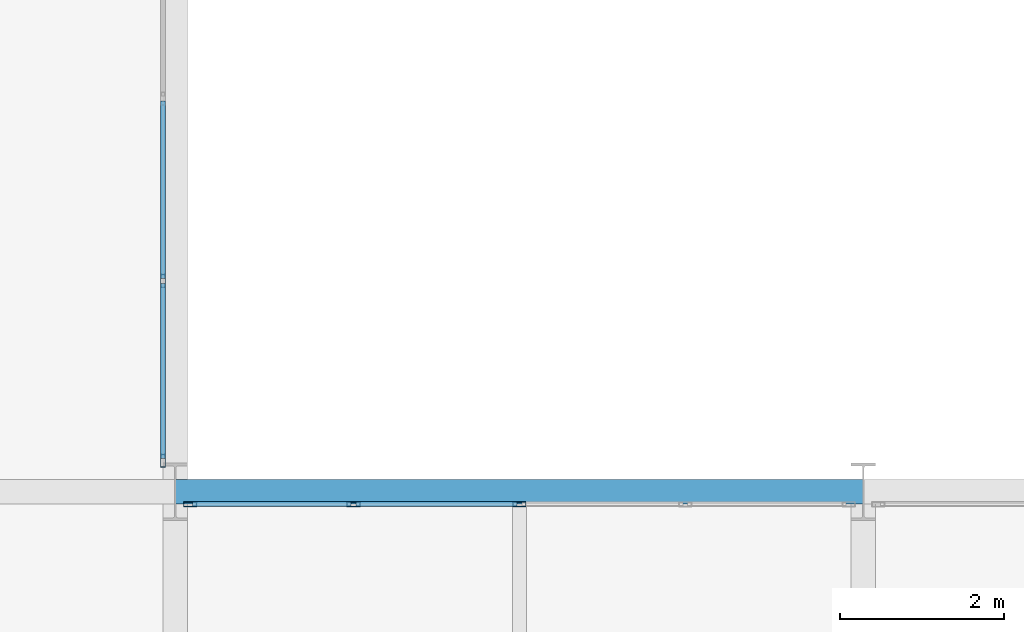
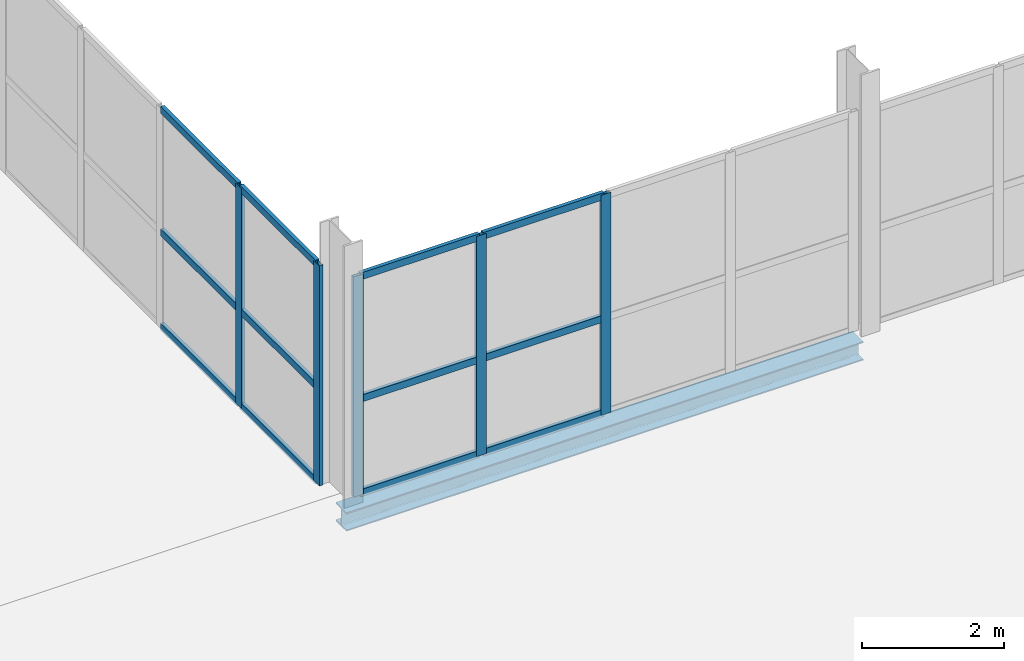
# One storey, part 57 of 113: 17 members, 1 beam, 2 elements without a shape of their own.
"""IFC4 building model written with IfcOpenShell, lengths in metres."""

import ifcopenshell
import ifcopenshell.guid

model = None  # the IFC model being written
_history = None  # IfcOwnerHistory: only IFC2X3 demands one
_inside = {}  # id of a spatial element -> (the spatial element, [elements in it])
_under = {}  # id of a project, library or spatial element -> (it, [spatial elements below it])
_declared = {}  # id of a project -> (the project, [libraries it declares])
_typed = {}  # id of a type object -> (the type object, [elements of that type])
_made_of = {}  # id of a material, layer set ... -> (it, [elements and type objects made of it])


def new_model(schema):
    """Start an empty IFC model of exactly this schema.

    Asked for "IFC4X3", IfcOpenShell would pick the latest addendum, in which some entities
    have other attributes; the version numbers below select the first issue.
    IFC2X3 requires an IfcOwnerHistory on every rooted entity: one is made here for all.
    """
    global model, _history
    if schema == "IFC4X3":
        model = ifcopenshell.file(schema_version=(4, 3, 0, 0))
    else:
        model = ifcopenshell.file(schema=schema)
    _inside.clear()
    _under.clear()
    _declared.clear()
    _typed.clear()
    _made_of.clear()
    _history = None
    if model.schema == "IFC2X3":
        org = make("IfcOrganization", Name="unknown")
        user = make(
            "IfcPersonAndOrganization",
            ThePerson=make("IfcPerson", FamilyName="unknown"),
            TheOrganization=org,
        )
        app = make(
            "IfcApplication",
            ApplicationDeveloper=org,
            Version="unknown",
            ApplicationFullName="unknown",
            ApplicationIdentifier="unknown",
        )
        _history = make(
            "IfcOwnerHistory",
            OwningUser=user,
            OwningApplication=app,
            ChangeAction="ADDED",
            CreationDate=0,
        )
    return model


def make(cls, **values):
    """One entity of the class cls with the attributes given. An attribute that is None is left unset."""
    return model.create_entity(
        cls, **{name: value for name, value in values.items() if value is not None}
    )


def rooted(cls, **values):
    """An entity with a GlobalId (a new one), such as an element, a storey or a relation."""
    return make(cls, GlobalId=ifcopenshell.guid.new(), OwnerHistory=_history, **values)


def si_unit(unit_type, name, prefix=None):
    """IfcSIUnit, for example si_unit("LENGTHUNIT", "METRE", prefix="MILLI")."""
    return make("IfcSIUnit", UnitType=unit_type, Prefix=prefix, Name=name)


def assignment(units):
    """IfcUnitAssignment: the units of a project."""
    return None if units is None else make("IfcUnitAssignment", Units=units)


def point(xyz):
    """IfcCartesianPoint."""
    return None if xyz is None else make("IfcCartesianPoint", Coordinates=xyz)


def direction(xyz):
    """IfcDirection."""
    return None if xyz is None else make("IfcDirection", DirectionRatios=xyz)


def frame(location, z_axis=None, x_axis=None):
    """IfcAxis2Placement3D, a coordinate frame: its origin and axes. An axis left out is left unset."""
    return make(
        "IfcAxis2Placement3D",
        Location=point(location),
        Axis=direction(z_axis),
        RefDirection=direction(x_axis),
    )


def frame_2d(location, x_axis=None):
    """IfcAxis2Placement2D, a coordinate frame in the plane: its origin and x axis."""
    return make(
        "IfcAxis2Placement2D", Location=point(location), RefDirection=direction(x_axis)
    )


def origin():
    """The frame at (0, 0, 0) with its axes left unset."""
    return frame((0.0, 0.0, 0.0))


def origin_2d():
    """The frame at (0, 0) in the plane with its x axis left unset."""
    return frame_2d((0.0, 0.0))


def place(relative_to, where):
    """IfcLocalPlacement: puts the frame where relative to a parent placement (None: the world)."""
    return make(
        "IfcLocalPlacement", PlacementRelTo=relative_to, RelativePlacement=where
    )


def context(
    kind, dimensions, precision=None, world=None, true_north=None, identifier=None
):
    """IfcGeometricRepresentationContext, for example the 3D "Model" context."""
    return make(
        "IfcGeometricRepresentationContext",
        ContextIdentifier=identifier,
        ContextType=kind,
        CoordinateSpaceDimension=dimensions,
        Precision=precision,
        WorldCoordinateSystem=world,
        TrueNorth=true_north,
    )


def subcontext(parent, identifier, kind, view, scale=None):
    """IfcGeometricRepresentationSubContext, for example "Body" below "Model"."""
    return make(
        "IfcGeometricRepresentationSubContext",
        ContextIdentifier=identifier,
        ContextType=kind,
        ParentContext=parent,
        TargetScale=scale,
        TargetView=view,
    )


def project(units=None, contexts=None):
    """IfcProject with its units and contexts."""
    return rooted(
        "IfcProject",
        Name="project",
        RepresentationContexts=contexts,
        UnitsInContext=assignment(units),
    )


def spatial(cls, under=None, at=None, **own):
    """A site, building, storey or space (cls), placed at a placement, below another one or the project."""
    s = rooted(cls, ObjectPlacement=at, **own)
    if under is not None:
        _under.setdefault(under.id(), (under, []))[1].append(s)
    return s


def profile(cls, at=None, kind="AREA", **sizes):
    """A parametric profile (cls). Its sizes go by their IFC names, for example OverallWidth=200.0."""
    return make(cls, ProfileType=kind, Position=at, **sizes)


def hollow_rectangle(**sizes):
    """IfcRectangleHollowProfileDef."""
    return profile("IfcRectangleHollowProfileDef", **sizes)


def i_section(**sizes):
    """IfcIShapeProfileDef."""
    return profile("IfcIShapeProfileDef", **sizes)


def extrude(swept, where, along, depth):
    """IfcExtrudedAreaSolid: the profile swept, set in the frame where, extruded along a direction by depth."""
    return make(
        "IfcExtrudedAreaSolid",
        SweptArea=swept,
        Position=where,
        ExtrudedDirection=direction(along),
        Depth=depth,
    )


def shape(context_of_items, identifier, shape_type, items):
    """IfcShapeRepresentation: the items that make up one representation, for example the "Body"."""
    return make(
        "IfcShapeRepresentation",
        ContextOfItems=context_of_items,
        RepresentationIdentifier=identifier,
        RepresentationType=shape_type,
        Items=items,
    )


def material(Name=None, Category=None):
    """IfcMaterial."""
    return make("IfcMaterial", Name=Name, Category=Category)


def material_profile(
    of_material, cross_section, Name=None, Category=None, Priority=None
):
    """IfcMaterialProfile: a cross section and its material."""
    return make(
        "IfcMaterialProfile",
        Name=Name,
        Material=of_material,
        Profile=cross_section,
        Priority=Priority,
        Category=Category,
    )


def profile_set(profiles, Name=None, composite=None):
    """IfcMaterialProfileSet."""
    return make(
        "IfcMaterialProfileSet",
        Name=Name,
        MaterialProfiles=profiles,
        CompositeProfile=composite,
    )


def made_of(thing, what):
    """Note that an element or type object is made of a material, layer set ...; save() writes the relation."""
    if what is not None:
        _made_of.setdefault(what.id(), (what, []))[1].append(thing)
    return thing


def type_object(cls, material=None, **own):
    """A type object (cls), such as IfcWallType, which elements share."""
    return made_of(rooted(cls, **own), material)


def element(
    cls,
    number,
    at=None,
    inside=None,
    cuts=None,
    type_object=None,
    material=None,
    context=None,
    identifier="Body",
    shape_type=None,
    held_by="IfcProductDefinitionShape",
    body=None,
    shapes=None,
    **own,
):
    """One element of the class cls, such as IfcWall. Its Tag is "e" and its number.

    at: its placement. inside: the storey or other place that contains it. cuts: it is an
    opening in that element (IfcRelVoidsElement). A single representation is given by context,
    identifier, shape_type and body (its items); several are given by shapes. held_by: the class
    of the entity that holds the representations. save() writes the other relations.
    """
    e = rooted(cls, Tag="e%d" % number, ObjectPlacement=at, **own)
    if body is not None:
        shapes = [shape(context, identifier, shape_type, body)]
    if shapes is not None:
        e.Representation = make(held_by, Representations=shapes)
    if inside is not None:
        _inside.setdefault(inside.id(), (inside, []))[1].append(e)
    if cuts is not None:
        rooted(
            "IfcRelVoidsElement", RelatingBuildingElement=cuts, RelatedOpeningElement=e
        )
    if type_object is not None:
        _typed.setdefault(type_object.id(), (type_object, []))[1].append(e)
    return made_of(e, material)


def aggregate(whole, parts):
    """IfcRelAggregates: a whole, such as a stair, and the parts it consists of."""
    return rooted("IfcRelAggregates", RelatingObject=whole, RelatedObjects=parts)


def save(model, path):
    """Write the relations noted so far, then the file.

    IfcRelAggregates (storeys below a building ...), IfcRelContainedInSpatialStructure (elements
    in a storey), IfcRelDefinesByType, IfcRelAssociatesMaterial and IfcRelDeclares: one each for
    every whole, place, type object, material and project.
    """
    for whole, parts in _under.values():
        aggregate(whole, parts)
    for where, things in _inside.values():
        rooted(
            "IfcRelContainedInSpatialStructure",
            RelatedElements=things,
            RelatingStructure=where,
        )
    for kind, things in _typed.values():
        rooted("IfcRelDefinesByType", RelatedObjects=things, RelatingType=kind)
    for what, things in _made_of.values():
        rooted("IfcRelAssociatesMaterial", RelatedObjects=things, RelatingMaterial=what)
    for by, libraries in _declared.values():
        rooted("IfcRelDeclares", RelatingContext=by, RelatedDefinitions=libraries)
    model.write(path)


model = new_model("IFC4")

# Units and contexts
model_context = context("Model", 3, precision=1e-05, world=origin(), true_north=direction((0.0, 1.0)))
body_context = subcontext(model_context, "Body", "Model", "MODEL_VIEW")
ifc_project = project(units=[si_unit("LENGTHUNIT", "METRE"), si_unit("AREAUNIT", "SQUARE_METRE"), si_unit("VOLUMEUNIT", "CUBIC_METRE"), si_unit("PLANEANGLEUNIT", "RADIAN"), si_unit("MASSUNIT", "GRAM", prefix="KILO")], contexts=[model_context])

# Site, building, storey
site_placement = place(None, origin())
site = spatial("IfcSite", under=ifc_project, at=site_placement, CompositionType="ELEMENT")
building_placement = place(site_placement, origin())
building = spatial("IfcBuilding", under=site, at=building_placement, Name="Veltarok Museum of Natural Sciences", CompositionType="ELEMENT")
storey_placement = place(building_placement, frame((0.0, 0.0, 8.39990234375)))
storey = spatial("IfcBuildingStorey", under=building, at=storey_placement, Name="L01", CompositionType="ELEMENT", Elevation=8.39990234375)

# Curtain wall, members
ifc_material_1 = material(Name="Low-iron triple insulated glass", Category="glass")
curtain_wall_type_1 = type_object("IfcCurtainWallType", Name="Curtain Wall System CW-V2NH-L01-2-810x378 (CW-V2NH L01 810x378cm)", PredefinedType="NOTDEFINED", material=ifc_material_1)
curtain_wall_1_placement = place(storey_placement, origin())
curtain_wall_1 = element("IfcCurtainWall", 1, at=curtain_wall_1_placement, inside=storey, type_object=curtain_wall_type_1, Name="Curtain Wall CW-V2NH-L01-2-810x378 CW-0154", PredefinedType="NOTDEFINED")
ifc_material_2 = material(Name="Thermally broken anodised aluminium", Category="aluminium")
ifc_material_profile_1 = material_profile(ifc_material_2, hollow_rectangle(XDim=0.06005859375, YDim=0.1201171875, WallThickness=0.0048828125, at=origin_2d()), Name="CW TRANSOM 60x120x5")
ifc_profile_set_1 = profile_set([ifc_material_profile_1], Name="Thermally broken anodised aluminium")
member_type_1 = type_object("IfcMemberType", Name="Curtain Wall Horizontal Transom 60x120x5", PredefinedType="USERDEFINED", material=ifc_profile_set_1)
member_1_placement = place(storey_placement, frame((86.169921875, 71.85009765625, 0.028076171875), z_axis=(-1.0, 0.0, 0.0), x_axis=(0.0, -1.0, 0.0)))
member_1 = element("IfcMember", 2, at=member_1_placement, type_object=member_type_1, Name="CW-V2NH-L01-2-810x378 transom 3.1", ObjectType="TRANSOM", PredefinedType="USERDEFINED", context=body_context, shape_type="SweptSolid", body=[
    extrude(hollow_rectangle(XDim=0.06005859375, YDim=0.1201171875, WallThickness=0.0048828125, at=origin_2d()), origin(), (0.0, 0.0, 1.0), 1.96484375),
])
member_2_placement = place(storey_placement, frame((86.169921875, 71.85009765625, 1.648193359375), z_axis=(-1.0, 0.0, 0.0), x_axis=(0.0, -1.0, 0.0)))
member_2 = element("IfcMember", 3, at=member_2_placement, type_object=member_type_1, Name="CW-V2NH-L01-2-810x378 transom 3.2", ObjectType="TRANSOM", PredefinedType="USERDEFINED", context=body_context, shape_type="SweptSolid", body=[
    extrude(hollow_rectangle(XDim=0.06005859375, YDim=0.1201171875, WallThickness=0.0048828125, at=origin_2d()), origin(), (0.0, 0.0, 1.0), 1.96484375),
])
member_3_placement = place(storey_placement, frame((86.169921875, 71.85009765625, 3.75), z_axis=(-1.0, 0.0, 0.0), x_axis=(0.0, -1.0, 0.0)))
member_3 = element("IfcMember", 4, at=member_3_placement, type_object=member_type_1, Name="CW-V2NH-L01-2-810x378 transom 3.3", ObjectType="TRANSOM", PredefinedType="USERDEFINED", context=body_context, shape_type="SweptSolid", body=[
    extrude(hollow_rectangle(XDim=0.06005859375, YDim=0.1201171875, WallThickness=0.0048828125, at=origin_2d()), origin(), (0.0, 0.0, 1.0), 1.96484375),
])
member_4_placement = place(storey_placement, frame((84.14501953125, 71.85009765625, 0.028076171875), z_axis=(-1.0, 0.0, 0.0), x_axis=(0.0, -1.0, 0.0)))
member_4 = element("IfcMember", 5, at=member_4_placement, type_object=member_type_1, Name="CW-V2NH-L01-2-810x378 transom 4.1", ObjectType="TRANSOM", PredefinedType="USERDEFINED", context=body_context, shape_type="SweptSolid", body=[
    extrude(hollow_rectangle(XDim=0.06005859375, YDim=0.1201171875, WallThickness=0.0048828125, at=origin_2d()), origin(), (0.0, 0.0, 1.0), 1.93505859375),
])
member_5_placement = place(storey_placement, frame((84.14501953125, 71.85009765625, 1.648193359375), z_axis=(-1.0, 0.0, 0.0), x_axis=(0.0, -1.0, 0.0)))
member_5 = element("IfcMember", 6, at=member_5_placement, type_object=member_type_1, Name="CW-V2NH-L01-2-810x378 transom 4.2", ObjectType="TRANSOM", PredefinedType="USERDEFINED", context=body_context, shape_type="SweptSolid", body=[
    extrude(hollow_rectangle(XDim=0.06005859375, YDim=0.1201171875, WallThickness=0.0048828125, at=origin_2d()), origin(), (0.0, 0.0, 1.0), 1.93505859375),
])
member_6_placement = place(storey_placement, frame((84.14501953125, 71.85009765625, 3.75), z_axis=(-1.0, 0.0, 0.0), x_axis=(0.0, -1.0, 0.0)))
member_6 = element("IfcMember", 7, at=member_6_placement, type_object=member_type_1, Name="CW-V2NH-L01-2-810x378 transom 4.3", ObjectType="TRANSOM", PredefinedType="USERDEFINED", context=body_context, shape_type="SweptSolid", body=[
    extrude(hollow_rectangle(XDim=0.06005859375, YDim=0.1201171875, WallThickness=0.0048828125, at=origin_2d()), origin(), (0.0, 0.0, 1.0), 1.93505859375),
])

curtain_wall_type_2 = type_object("IfcCurtainWallType", Name="Curtain Wall System CW-V2NPE1-L01-2-890x378 (CW-V2NPE1 L01 890x378cm)", PredefinedType="NOTDEFINED", material=ifc_material_1)
curtain_wall_2_placement = place(storey_placement, origin())
curtain_wall_2 = element("IfcCurtainWall", 8, at=curtain_wall_2_placement, inside=storey, type_object=curtain_wall_type_2, Name="Curtain Wall CW-V2NPE1-L01-2-890x378 CW-0222", PredefinedType="NOTDEFINED")
member_7_placement = place(storey_placement, frame((81.85009765625, 72.409912109375, 0.028076171875), z_axis=(0.0, 1.0, 0.0), x_axis=(-1.0, 0.0, 0.0)))
member_7 = element("IfcMember", 9, at=member_7_placement, type_object=member_type_1, Name="CW-V2NPE1-L01-2-890x378 transom 1.1", ObjectType="TRANSOM", PredefinedType="USERDEFINED", context=body_context, shape_type="SweptSolid", body=[
    extrude(hollow_rectangle(XDim=0.06005859375, YDim=0.1201171875, WallThickness=0.0048828125, at=origin_2d()), origin(), (0.0, 0.0, 1.0), 2.135009765625),
])
member_8_placement = place(storey_placement, frame((81.85009765625, 72.409912109375, 1.648193359375), z_axis=(0.0, 1.0, 0.0), x_axis=(-1.0, 0.0, 0.0)))
member_8 = element("IfcMember", 10, at=member_8_placement, type_object=member_type_1, Name="CW-V2NPE1-L01-2-890x378 transom 1.2", ObjectType="TRANSOM", PredefinedType="USERDEFINED", context=body_context, shape_type="SweptSolid", body=[
    extrude(hollow_rectangle(XDim=0.06005859375, YDim=0.1201171875, WallThickness=0.0048828125, at=origin_2d()), origin(), (0.0, 0.0, 1.0), 2.135009765625),
])
member_9_placement = place(storey_placement, frame((81.85009765625, 72.409912109375, 3.75), z_axis=(0.0, 1.0, 0.0), x_axis=(-1.0, 0.0, 0.0)))
member_9 = element("IfcMember", 11, at=member_9_placement, type_object=member_type_1, Name="CW-V2NPE1-L01-2-890x378 transom 1.3", ObjectType="TRANSOM", PredefinedType="USERDEFINED", context=body_context, shape_type="SweptSolid", body=[
    extrude(hollow_rectangle(XDim=0.06005859375, YDim=0.1201171875, WallThickness=0.0048828125, at=origin_2d()), origin(), (0.0, 0.0, 1.0), 2.135009765625),
])
member_10_placement = place(storey_placement, frame((81.85009765625, 74.60498046875, 0.028076171875), z_axis=(0.0, 1.0, 0.0), x_axis=(-1.0, 0.0, 0.0)))
member_10 = element("IfcMember", 12, at=member_10_placement, type_object=member_type_1, Name="CW-V2NPE1-L01-2-890x378 transom 2.1", ObjectType="TRANSOM", PredefinedType="USERDEFINED", context=body_context, shape_type="SweptSolid", body=[
    extrude(hollow_rectangle(XDim=0.06005859375, YDim=0.1201171875, WallThickness=0.0048828125, at=origin_2d()), origin(), (0.0, 0.0, 1.0), 2.1650390625),
])
member_11_placement = place(storey_placement, frame((81.85009765625, 74.60498046875, 1.648193359375), z_axis=(0.0, 1.0, 0.0), x_axis=(-1.0, 0.0, 0.0)))
member_11 = element("IfcMember", 13, at=member_11_placement, type_object=member_type_1, Name="CW-V2NPE1-L01-2-890x378 transom 2.2", ObjectType="TRANSOM", PredefinedType="USERDEFINED", context=body_context, shape_type="SweptSolid", body=[
    extrude(hollow_rectangle(XDim=0.06005859375, YDim=0.1201171875, WallThickness=0.0048828125, at=origin_2d()), origin(), (0.0, 0.0, 1.0), 2.1650390625),
])
member_12_placement = place(storey_placement, frame((81.85009765625, 74.60498046875, 3.75), z_axis=(0.0, 1.0, 0.0), x_axis=(-1.0, 0.0, 0.0)))
member_12 = element("IfcMember", 14, at=member_12_placement, type_object=member_type_1, Name="CW-V2NPE1-L01-2-890x378 transom 2.3", ObjectType="TRANSOM", PredefinedType="USERDEFINED", context=body_context, shape_type="SweptSolid", body=[
    extrude(hollow_rectangle(XDim=0.06005859375, YDim=0.1201171875, WallThickness=0.0048828125, at=origin_2d()), origin(), (0.0, 0.0, 1.0), 2.1650390625),
])

# Member
ifc_material_profile_2 = material_profile(ifc_material_2, hollow_rectangle(XDim=0.06005859375, YDim=0.159912109375, WallThickness=0.0048828125, at=origin_2d()), Name="CW MULLION 60x160x5")
ifc_profile_set_2 = profile_set([ifc_material_profile_2], Name="Thermally broken anodised aluminium")
member_type_2 = type_object("IfcMemberType", Name="Curtain Wall Vertical Mullion 60x160x5", PredefinedType="MULLION", material=ifc_profile_set_2)
member_13_placement = place(storey_placement, frame((86.199951171875, 71.85009765625, -0.001953125), z_axis=(0.0, 0.0, 1.0), x_axis=(0.0, -1.0, 0.0)))
member_13 = element("IfcMember", 15, at=member_13_placement, type_object=member_type_2, Name="CW-V2NH-L01-2-810x378 mullion 3", PredefinedType="MULLION", context=body_context, shape_type="SweptSolid", body=[
    extrude(hollow_rectangle(XDim=0.06005859375, YDim=0.159912109375, WallThickness=0.0048828125, at=origin_2d()), origin(), (0.0, 0.0, 1.0), 3.781982421875),
])

member_14_placement = place(storey_placement, frame((84.175048828125, 71.85009765625, -0.001953125), z_axis=(0.0, 0.0, 1.0), x_axis=(0.0, -1.0, 0.0)))
member_14 = element("IfcMember", 16, at=member_14_placement, type_object=member_type_2, Name="CW-V2NH-L01-2-810x378 mullion 4", PredefinedType="MULLION", context=body_context, shape_type="SweptSolid", body=[
    extrude(hollow_rectangle(XDim=0.06005859375, YDim=0.159912109375, WallThickness=0.0048828125, at=origin_2d()), origin(), (0.0, 0.0, 1.0), 3.781982421875),
])

member_15_placement = place(storey_placement, frame((82.179931640625, 71.85009765625, -0.001953125), z_axis=(0.0, 0.0, 1.0), x_axis=(0.0, -1.0, 0.0)))
member_15 = element("IfcMember", 17, at=member_15_placement, type_object=member_type_2, Name="CW-V2NH-L01-2-810x378 mullion 5", PredefinedType="MULLION", context=body_context, shape_type="SweptSolid", body=[
    extrude(hollow_rectangle(XDim=0.06005859375, YDim=0.159912109375, WallThickness=0.0048828125, at=origin_2d()), origin(), (0.0, 0.0, 1.0), 3.781982421875),
])

aggregate(curtain_wall_1, [member_13, member_14, member_15, member_1, member_2, member_3, member_4, member_5, member_6])

member_16_placement = place(storey_placement, frame((81.85009765625, 72.3798828125, -0.001953125), z_axis=(0.0, 0.0, 1.0), x_axis=(-1.0, 0.0, 0.0)))
member_16 = element("IfcMember", 18, at=member_16_placement, type_object=member_type_2, Name="CW-V2NPE1-L01-2-890x378 mullion 1", PredefinedType="MULLION", context=body_context, shape_type="SweptSolid", body=[
    extrude(hollow_rectangle(XDim=0.06005859375, YDim=0.159912109375, WallThickness=0.0048828125, at=origin_2d()), origin(), (0.0, 0.0, 1.0), 3.781982421875),
])

member_17_placement = place(storey_placement, frame((81.85009765625, 74.574951171875, -0.001953125), z_axis=(0.0, 0.0, 1.0), x_axis=(-1.0, 0.0, 0.0)))
member_17 = element("IfcMember", 19, at=member_17_placement, type_object=member_type_2, Name="CW-V2NPE1-L01-2-890x378 mullion 2", PredefinedType="MULLION", context=body_context, shape_type="SweptSolid", body=[
    extrude(hollow_rectangle(XDim=0.06005859375, YDim=0.159912109375, WallThickness=0.0048828125, at=origin_2d()), origin(), (0.0, 0.0, 1.0), 3.781982421875),
])

aggregate(curtain_wall_2, [member_16, member_17, member_7, member_8, member_9, member_10, member_11, member_12])

# Beam
ifc_material_3 = material(Name="Steel S355J2", Category="steel")
ifc_material_profile_3 = material_profile(ifc_material_3, i_section(OverallWidth=0.300048828125, OverallDepth=0.320068359375, WebThickness=0.011474609375, FlangeThickness=0.0205078125, FilletRadius=0.027099609375, at=origin_2d()), Name="HEB 320")
ifc_profile_set_3 = profile_set([ifc_material_profile_3], Name="Steel S355J2")
beam_type = type_object("IfcBeamType", Name="Perimeter Sawtooth Spandrel HEB 320", PredefinedType="SPANDREL", material=ifc_profile_set_3)
beam_placement = place(storey_placement, frame((82.0, 72.0, -0.409912109375), z_axis=(1.0, 0.0, 0.0), x_axis=(0.0, 1.0, 0.0)))
element("IfcBeam", 20, at=beam_placement, inside=storey, type_object=beam_type, Name="Beam BM-SP06 L01 10-11/H", PredefinedType="SPANDREL", context=body_context, shape_type="SweptSolid", body=[
    extrude(i_section(OverallWidth=0.300048828125, OverallDepth=0.320068359375, WebThickness=0.011474609375, FlangeThickness=0.0205078125, FilletRadius=0.027099609375, at=origin_2d()), origin(), (0.0, 0.0, 1.0), 8.39990234375),
])

save(model, "model.ifc")
